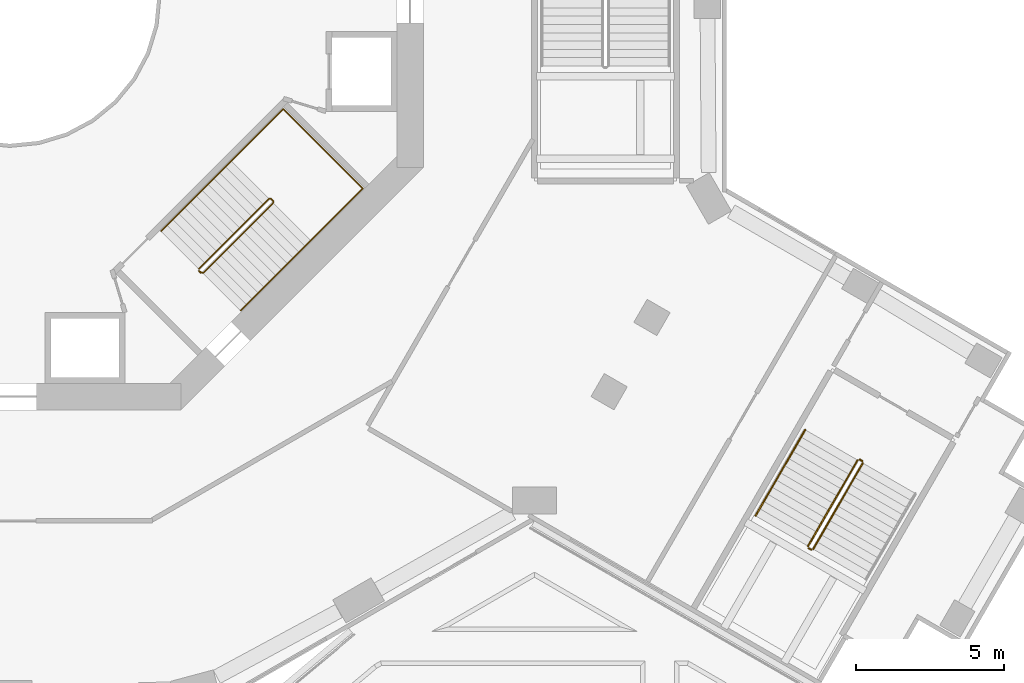
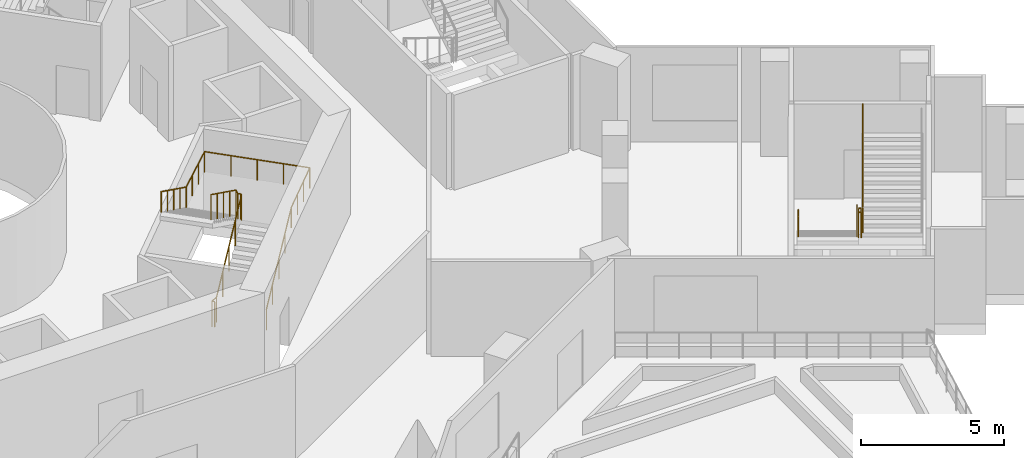
# One storey, part 18 of 21: 7 railings.
"""IFC4 building model written with IfcOpenShell, lengths in metres."""

from ifc_helpers import new_model, si_unit, direction, frame, origin, origin_2d, place, context, subcontext, project, spatial, circle, extrude, material, type_object, element, save


model = new_model("IFC4")

# Units and contexts
model_context = context("Model", 3, precision=1e-05, world=origin(), true_north=direction((0.0, 1.0)))
body_context = subcontext(model_context, "Body", "Model", "MODEL_VIEW")
ifc_project = project(units=[si_unit("LENGTHUNIT", "METRE"), si_unit("AREAUNIT", "SQUARE_METRE"), si_unit("VOLUMEUNIT", "CUBIC_METRE"), si_unit("PLANEANGLEUNIT", "RADIAN"), si_unit("MASSUNIT", "GRAM", prefix="KILO")], contexts=[model_context])

# Site, building, storey
site_placement = place(None, origin())
site = spatial("IfcSite", under=ifc_project, at=site_placement, CompositionType="ELEMENT")
building_placement = place(site_placement, origin())
building = spatial("IfcBuilding", under=site, at=building_placement, Name="Verdalira Terraces Hotel", CompositionType="ELEMENT")
storey_placement = place(building_placement, frame((0.0, 0.0, 19.0)))
storey = spatial("IfcBuildingStorey", under=building, at=storey_placement, Name="L03", CompositionType="ELEMENT", Elevation=19.0)

# Railings
ifc_material_1 = material(Name="Stainless steel", Category="steel")
railing_type_1 = type_object("IfcRailingType", Name="Stair guard 1100", PredefinedType="GUARDRAIL", material=ifc_material_1)
railing_1_placement = place(storey_placement, frame((6.469971, -9.369141, 0.0)))
element("IfcRailing", 1, at=railing_1_placement, inside=storey, type_object=railing_type_1, Name="L03 ST3 stair guard 1", PredefinedType="GUARDRAIL", context=body_context, shape_type="SweptSolid", body=[
    extrude(circle(Radius=0.023926, at=origin_2d()), frame((0.0, 0.0, 1.076172), z_axis=(-0.705884473, 0.70832698, 0.0), x_axis=(-0.70832698, -0.705884473, 0.0)), (0.0, 0.0, 1.0), 0.099854),
    extrude(circle(Radius=0.023926, at=origin_2d()), frame((-0.070557, 0.070801, 1.076172), z_axis=(0.602986962, -0.302014195, 0.738372636), x_axis=(0.447831187, 0.894118129, 0.0)), (0.0, 0.0, 1.0), 0.234375),
    extrude(circle(Radius=0.023926, at=origin_2d()), frame((0.070801, 0.0, 1.249023), z_axis=(0.601443524, 0.601505331, 0.525791806), x_axis=(-0.707143111, 0.707070449, 0.0)), (0.0, 0.0, 1.0), 3.949951),
    extrude(circle(Radius=0.023926, at=origin_2d()), frame((2.446533, 2.375977, 3.326172), z_axis=(0.0, 1.0, 0.0), x_axis=(-1.0, 0.0, 0.0)), (0.0, 0.0, 1.0), 0.070557),
    extrude(circle(Radius=0.023926, at=origin_2d()), frame((2.446533, 2.446533, 3.326172), z_axis=(-0.705884473, 0.70832698, 0.0), x_axis=(-0.70832698, -0.705884473, 0.0)), (0.0, 0.0, 1.0), 0.099854),
    extrude(circle(Radius=0.023926, at=origin_2d()), frame((2.375977, 2.517334, 3.326172), z_axis=(-0.378582013, 0.0, 0.92556775), x_axis=(0.0, -1.0, 0.0)), (0.0, 0.0, 1.0), 0.187012),
    extrude(circle(Radius=0.023926, at=origin_2d()), frame((2.305176, 2.517334, 3.499023), z_axis=(-0.601443524, -0.601505331, 0.525791806), x_axis=(0.707143111, -0.707070449, 0.0)), (0.0, 0.0, 1.0), 3.949951),
    extrude(circle(Radius=0.020996, at=origin_2d()), origin(), (0.0, 0.0, 1.0), 1.052002),
    extrude(circle(Radius=0.020996, at=origin_2d()), frame((-0.070557, 0.070801, 0.0)), (0.0, 0.0, 1.0), 1.052002),
    extrude(circle(Radius=0.020996, at=origin_2d()), frame((0.070801, 0.0, 0.173096)), (0.0, 0.0, 1.0), 1.052002),
    extrude(circle(Radius=0.020996, at=origin_2d()), frame((0.664795, 0.593994, 0.692383)), (0.0, 0.0, 1.0), 1.052002),
    extrude(circle(Radius=0.020996, at=origin_2d()), frame((1.258789, 1.187988, 1.211426)), (0.0, 0.0, 1.0), 1.052002),
    extrude(circle(Radius=0.020996, at=origin_2d()), frame((1.852539, 1.781982, 1.730713)), (0.0, 0.0, 1.0), 1.052002),
    extrude(circle(Radius=0.020996, at=origin_2d()), frame((2.446533, 2.375977, 2.25)), (0.0, 0.0, 1.0), 1.052002),
    extrude(circle(Radius=0.020996, at=origin_2d()), frame((2.446533, 2.446533, 2.25)), (0.0, 0.0, 1.0), 1.052002),
    extrude(circle(Radius=0.020996, at=origin_2d()), frame((2.375977, 2.517334, 2.25)), (0.0, 0.0, 1.0), 1.052002),
    extrude(circle(Radius=0.020996, at=origin_2d()), frame((2.305176, 2.517334, 2.423096)), (0.0, 0.0, 1.0), 1.052002),
    extrude(circle(Radius=0.020996, at=origin_2d()), frame((1.711182, 1.92334, 2.942383)), (0.0, 0.0, 1.0), 1.052002),
    extrude(circle(Radius=0.020996, at=origin_2d()), frame((1.117188, 1.329346, 3.461426)), (0.0, 0.0, 1.0), 1.052002),
    extrude(circle(Radius=0.020996, at=origin_2d()), frame((0.523438, 0.735352, 3.980713)), (0.0, 0.0, 1.0), 1.052002),
    extrude(circle(Radius=0.020996, at=origin_2d()), frame((-0.070557, 0.141357, 4.5)), (0.0, 0.0, 1.0), 1.052002),
])
railing_2_placement = place(storey_placement, frame((28.694092, -15.700439, 0.173096)))
element("IfcRailing", 2, at=railing_2_placement, inside=storey, type_object=railing_type_1, Name="L03 PS3 stair guard 1", PredefinedType="GUARDRAIL", context=body_context, shape_type="SweptSolid", body=[
    extrude(circle(Radius=0.023926, at=origin_2d()), frame((0.0, 0.0, 1.076172), z_axis=(-0.425339005, -0.73664859, 0.52577142), x_axis=(0.866007717, -0.500030633, 0.0)), (0.0, 0.0, 1.0), 3.950195),
    extrude(circle(Radius=0.020996, at=origin_2d()), origin(), (0.0, 0.0, 1.0), 1.052002),
    extrude(circle(Radius=0.020996, at=origin_2d()), frame((-0.419922, -0.727539, 0.519287)), (0.0, 0.0, 1.0), 1.052002),
    extrude(circle(Radius=0.020996, at=origin_2d()), frame((-0.840088, -1.455078, 1.038574)), (0.0, 0.0, 1.0), 1.052002),
    extrude(circle(Radius=0.020996, at=origin_2d()), frame((-1.260254, -2.182373, 1.557617)), (0.0, 0.0, 1.0), 1.052002),
    extrude(circle(Radius=0.020996, at=origin_2d()), frame((-1.680176, -2.909912, 2.076904)), (0.0, 0.0, 1.0), 1.052002),
])
railing_3_placement = place(storey_placement, frame((27.032227, -18.678711, 2.25)))
element("IfcRailing", 3, at=railing_3_placement, inside=storey, type_object=railing_type_1, Name="L03 PS3 stair guard 2", PredefinedType="GUARDRAIL", context=body_context, shape_type="SweptSolid", body=[
    extrude(circle(Radius=0.023926, at=origin_2d()), frame((0.0, 0.0, 1.076172), z_axis=(0.867038199, -0.498241669, 0.0), x_axis=(0.498241669, 0.867038199, 0.0)), (0.0, 0.0, 1.0), 0.099854),
    extrude(circle(Radius=0.020996, at=origin_2d()), origin(), (0.0, 0.0, 1.0), 1.052002),
    extrude(circle(Radius=0.020996, at=origin_2d()), frame((0.08667, -0.049805, 0.0)), (0.0, 0.0, 1.0), 1.052002),
])
railing_4_placement = place(storey_placement, frame((27.187256, -18.710205, 2.423096)))
element("IfcRailing", 4, at=railing_4_placement, inside=storey, type_object=railing_type_1, Name="L03 PS3 stair guard 3", PredefinedType="GUARDRAIL", context=body_context, shape_type="SweptSolid", body=[
    extrude(circle(Radius=0.023926, at=origin_2d()), frame((0.0, 0.0, 1.076172), z_axis=(0.425307743, 0.736639687, 0.525809181), x_axis=(-0.866021015, 0.500007602, 0.0)), (0.0, 0.0, 1.0), 3.949951),
    extrude(circle(Radius=0.020996, at=origin_2d()), origin(), (0.0, 0.0, 1.0), 1.052002),
    extrude(circle(Radius=0.020996, at=origin_2d()), frame((0.419922, 0.727539, 0.519287)), (0.0, 0.0, 1.0), 1.052002),
    extrude(circle(Radius=0.020996, at=origin_2d()), frame((0.839844, 1.454834, 1.038574)), (0.0, 0.0, 1.0), 1.052002),
    extrude(circle(Radius=0.020996, at=origin_2d()), frame((1.26001, 2.182129, 1.557617)), (0.0, 0.0, 1.0), 1.052002),
    extrude(circle(Radius=0.020996, at=origin_2d()), frame((1.679932, 2.909668, 2.076904)), (0.0, 0.0, 1.0), 1.052002),
])
railing_5_placement = place(storey_placement, frame((28.762451, -15.682129, 0.0)))
element("IfcRailing", 5, at=railing_5_placement, inside=storey, type_object=railing_type_1, Name="L03 PS3 stair guard 4", PredefinedType="GUARDRAIL", context=body_context, shape_type="SweptSolid", body=[
    extrude(circle(Radius=0.023926, at=origin_2d()), frame((0.0, 0.0, 1.076172), z_axis=(0.865370492, -0.501132629, 0.0), x_axis=(0.501132629, 0.865370492, 0.0)), (0.0, 0.0, 1.0), 0.099854),
    extrude(circle(Radius=0.020996, at=origin_2d()), origin(), (0.0, 0.0, 1.0), 1.052002),
    extrude(circle(Radius=0.020996, at=origin_2d()), frame((0.086426, -0.050049, 0.0)), (0.0, 0.0, 1.0), 1.052002),
])
ifc_material_2 = material(Name="Stainless steel", Category="steel")
railing_type_2 = type_object("IfcRailingType", Name="Stair handrail 900", PredefinedType="HANDRAIL", material=ifc_material_2)
railing_6_placement = place(storey_placement, frame((7.813477, -10.641846, 0.173096)))
element("IfcRailing", 6, at=railing_6_placement, inside=storey, type_object=railing_type_2, Name="L03 ST3 stair handrail 1", PredefinedType="HANDRAIL", context=body_context, shape_type="SweptSolid", body=[
    extrude(circle(Radius=0.023926, at=origin_2d()), frame((0.0, 0.0, 0.875977), z_axis=(0.601505331, 0.601443524, 0.525791806), x_axis=(-0.707070449, 0.707143111, 0.0)), (0.0, 0.0, 1.0), 3.949951),
    extrude(circle(Radius=0.023926, at=origin_2d()), frame((2.375977, 2.375732, 2.952637), z_axis=(0.707106781, 0.707106781, 0.0), x_axis=(-0.707106781, 0.707106781, 0.0)), (0.0, 0.0, 1.0), 2.48999),
    extrude(circle(Radius=0.023926, at=origin_2d()), frame((4.136719, 4.136475, 2.952637), z_axis=(-0.707106781, 0.707106781, 0.0), x_axis=(-0.707106781, -0.707106781, 0.0)), (0.0, 0.0, 1.0), 3.800049),
    extrude(circle(Radius=0.023926, at=origin_2d()), frame((1.449707, 6.823486, 2.952637), z_axis=(-0.705404483, -0.705404483, 0.069347168), x_axis=(0.707106781, -0.707106781, 0.0)), (0.0, 0.0, 1.0), 2.496094),
    extrude(circle(Radius=0.023926, at=origin_2d()), frame((-0.311035, 5.062744, 3.125977), z_axis=(-0.601505331, -0.601443524, 0.525791806), x_axis=(0.707070449, -0.707143111, 0.0)), (0.0, 0.0, 1.0), 3.949951),
    extrude(circle(Radius=0.020996, at=origin_2d()), origin(), (0.0, 0.0, 1.0), 0.851807),
    extrude(circle(Radius=0.020996, at=origin_2d()), frame((0.593994, 0.593994, 0.519287)), (0.0, 0.0, 1.0), 0.851807),
    extrude(circle(Radius=0.020996, at=origin_2d()), frame((1.187988, 1.187988, 1.038574)), (0.0, 0.0, 1.0), 0.851807),
    extrude(circle(Radius=0.020996, at=origin_2d()), frame((1.781982, 1.781738, 1.557617)), (0.0, 0.0, 1.0), 0.851807),
    extrude(circle(Radius=0.020996, at=origin_2d()), frame((2.375977, 2.375732, 2.076904)), (0.0, 0.0, 1.0), 0.851807),
    extrude(circle(Radius=0.020996, at=origin_2d()), frame((2.962891, 2.962646, 2.076904)), (0.0, 0.0, 1.0), 0.851807),
    extrude(circle(Radius=0.020996, at=origin_2d()), frame((3.549805, 3.549561, 2.076904)), (0.0, 0.0, 1.0), 0.851807),
    extrude(circle(Radius=0.020996, at=origin_2d()), frame((4.136719, 4.136475, 2.076904)), (0.0, 0.0, 1.0), 0.851807),
    extrude(circle(Radius=0.020996, at=origin_2d()), frame((3.464844, 4.808105, 2.076904)), (0.0, 0.0, 1.0), 0.851807),
    extrude(circle(Radius=0.020996, at=origin_2d()), frame((2.793213, 5.47998, 2.076904)), (0.0, 0.0, 1.0), 0.851807),
    extrude(circle(Radius=0.020996, at=origin_2d()), frame((2.121582, 6.151855, 2.076904)), (0.0, 0.0, 1.0), 0.851807),
    extrude(circle(Radius=0.020996, at=origin_2d()), frame((1.449707, 6.823486, 2.076904)), (0.0, 0.0, 1.0), 0.851807),
    extrude(circle(Radius=0.020996, at=origin_2d()), frame((0.862793, 6.236572, 2.134521)), (0.0, 0.0, 1.0), 0.851807),
    extrude(circle(Radius=0.020996, at=origin_2d()), frame((0.275879, 5.649658, 2.192383)), (0.0, 0.0, 1.0), 0.851807),
    extrude(circle(Radius=0.020996, at=origin_2d()), frame((-0.311035, 5.062744, 2.25)), (0.0, 0.0, 1.0), 0.851807),
    extrude(circle(Radius=0.020996, at=origin_2d()), frame((-0.905029, 4.46875, 2.769287)), (0.0, 0.0, 1.0), 0.851807),
    extrude(circle(Radius=0.020996, at=origin_2d()), frame((-1.499023, 3.875, 3.288574)), (0.0, 0.0, 1.0), 0.851807),
    extrude(circle(Radius=0.020996, at=origin_2d()), frame((-2.093018, 3.281006, 3.807617)), (0.0, 0.0, 1.0), 0.851807),
    extrude(circle(Radius=0.020996, at=origin_2d()), frame((-2.687012, 2.687012, 4.326904)), (0.0, 0.0, 1.0), 0.851807),
])
railing_7_placement = place(storey_placement, frame((26.918701, -14.675537, 0.173096)))
element("IfcRailing", 7, at=railing_7_placement, inside=storey, type_object=railing_type_2, Name="L03 PS3 stair handrail 1", PredefinedType="HANDRAIL", context=body_context, shape_type="SweptSolid", body=[
    extrude(circle(Radius=0.023926, at=origin_2d()), frame((0.0, 0.0, 0.875977), z_axis=(-0.425307743, -0.736639687, 0.525809181), x_axis=(0.866021015, -0.500007602, 0.0)), (0.0, 0.0, 1.0), 3.949951),
    extrude(circle(Radius=0.020996, at=origin_2d()), origin(), (0.0, 0.0, 1.0), 0.851807),
    extrude(circle(Radius=0.020996, at=origin_2d()), frame((-0.419922, -0.727539, 0.519287)), (0.0, 0.0, 1.0), 0.851807),
    extrude(circle(Radius=0.020996, at=origin_2d()), frame((-0.839844, -1.454834, 1.038574)), (0.0, 0.0, 1.0), 0.851807),
    extrude(circle(Radius=0.020996, at=origin_2d()), frame((-1.26001, -2.182129, 1.557617)), (0.0, 0.0, 1.0), 0.851807),
    extrude(circle(Radius=0.020996, at=origin_2d()), frame((-1.679932, -2.909668, 2.076904)), (0.0, 0.0, 1.0), 0.851807),
])

save(model, "model.ifc")
